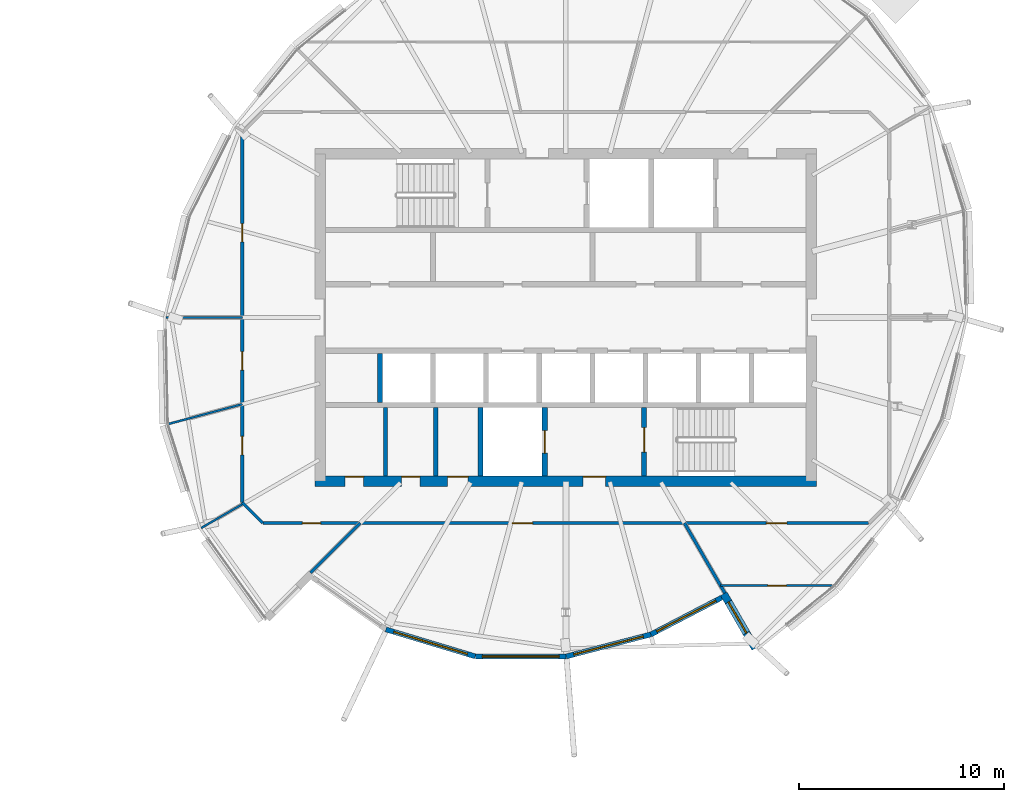
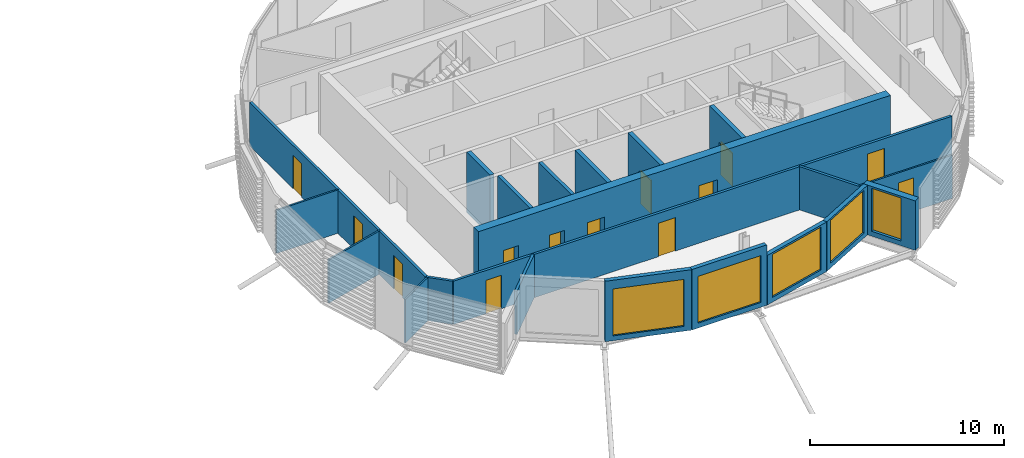
# One storey, part 19 of 35: 21 walls, 13 doors, 5 windows, 18 openings.
"""IFC4 building model written with IfcOpenShell, lengths in metres."""

from ifc_helpers import new_model, si_unit, direction, frame, frame_2d, origin, place, context, subcontext, project, spatial, rectangle, extrude, material, layer, layer_set, type_object, element, fill, save


model = new_model("IFC4")

# Units and contexts
model_context = context("Model", 3, precision=1e-05, world=origin(), true_north=direction((0.0, 1.0)))
body_context = subcontext(model_context, "Body", "Model", "MODEL_VIEW")
ifc_project = project(units=[si_unit("LENGTHUNIT", "METRE"), si_unit("AREAUNIT", "SQUARE_METRE"), si_unit("VOLUMEUNIT", "CUBIC_METRE"), si_unit("PLANEANGLEUNIT", "RADIAN"), si_unit("MASSUNIT", "GRAM", prefix="KILO")], contexts=[model_context])

# Site, building, storey
site_placement = place(None, origin())
site = spatial("IfcSite", under=ifc_project, at=site_placement, CompositionType="ELEMENT")
building_placement = place(site_placement, origin())
building = spatial("IfcBuilding", under=site, at=building_placement, Name="Rimbun Link Towers", CompositionType="ELEMENT")
storey_placement = place(building_placement, frame((0.0, 0.0, 225.699951171875)))
storey = spatial("IfcBuildingStorey", under=building, at=storey_placement, Name="L55", CompositionType="ELEMENT", Elevation=225.699951171875)

# Wall, opening, window
ifc_material_1 = material(Name="Dark enamelled glass spandrel on insulated aluminium backpan", Category="aluminium")
ifc_layer_1 = layer(ifc_material_1, 0.25)
ifc_layer_set_1 = layer_set([ifc_layer_1], Name="CS dark enamelled spandrel wall 250")
wall_type_1 = type_object("IfcWallType", Name="CS dark enamelled spandrel wall 250", PredefinedType="STANDARD", material=ifc_layer_set_1)
wall_1_placement = place(storey_placement, frame((27.328125, -16.558349609375, 0.0), z_axis=(0.0, 0.0, 1.0), x_axis=(-0.957446917434, 0.28860942517, 0.0)))
wall_1 = element("IfcWall", 1, at=wall_1_placement, inside=storey, type_object=wall_type_1, Name="Crease spandrel wall", PredefinedType="STANDARD", context=body_context, shape_type="SweptSolid", body=[
    extrude(rectangle(XDim=4.56201171875, YDim=0.25, at=frame_2d((2.281005859375, 0.0))), origin(), (0.0, 0.0, 1.0), 3.800048828125),
])
opening_1_placement = place(wall_1_placement, frame((0.406005859375, 0.0, 0.300048828125)))
opening_1 = element("IfcOpeningElement", 2, at=opening_1_placement, cuts=wall_1, Name="Opening WR38H295", PredefinedType="OPENING", context=body_context, shape_type="SweptSolid", body=[
    extrude(rectangle(XDim=3.75, YDim=2.949951171875, at=frame_2d((1.875, 1.47509765625))), frame((0.0, 0.135009765625, 0.0), z_axis=(0.0, -1.0, 0.0), x_axis=(1.0, 0.0, 0.0)), (0.0, 0.0, 1.0), 0.27001953125),
])
ifc_material_2 = material(Name="Aluminium framed fixed window, dark tinted low-e glass", Category="aluminium")
window_type_1 = type_object("IfcWindowType", Name="WR ribbon window 3750X2950", PartitioningType="SINGLE_PANEL", PredefinedType="WINDOW", material=ifc_material_2)
window_1_placement = place(opening_1_placement, origin())
window_1 = element("IfcWindow", 3, at=window_1_placement, inside=storey, type_object=window_type_1, Name="Crease ribbon window", OverallHeight=2.949951171875, OverallWidth=3.75, PartitioningType="SINGLE_PANEL", PredefinedType="WINDOW", context=body_context, shape_type="SweptSolid", body=[
    extrude(rectangle(XDim=3.75, YDim=2.949951171875, at=frame_2d((1.875, 1.47509765625))), frame((0.0, 0.030029296875, 0.0), z_axis=(0.0, -1.0, 0.0), x_axis=(1.0, 0.0, 0.0)), (0.0, 0.0, 1.0), 0.06005859375),
])
fill(opening_1, window_1)

wall_2_placement = place(storey_placement, frame((31.765869140625, -16.562255859375, 0.0), z_axis=(0.0, 0.0, 1.0), x_axis=(-0.999999612595, 0.000880232921, 0.0)))
wall_2 = element("IfcWall", 4, at=wall_2_placement, inside=storey, type_object=wall_type_1, Name="Crease spandrel wall", PredefinedType="STANDARD", context=body_context, shape_type="SweptSolid", body=[
    extrude(rectangle(XDim=4.437744140625, YDim=0.25, at=frame_2d((2.21875, 0.0))), origin(), (0.0, 0.0, 1.0), 3.800048828125),
])
opening_2_placement = place(wall_2_placement, frame((0.34375, 0.0, 0.300048828125)))
opening_2 = element("IfcOpeningElement", 5, at=opening_2_placement, cuts=wall_2, Name="Opening WR38H295", PredefinedType="OPENING", context=body_context, shape_type="SweptSolid", body=[
    extrude(rectangle(XDim=3.75, YDim=2.949951171875, at=frame_2d((1.875, 1.47509765625))), frame((0.0, 0.135009765625, 0.0), z_axis=(0.0, -1.0, 0.0), x_axis=(1.0, 0.0, 0.0)), (0.0, 0.0, 1.0), 0.27001953125),
])
window_2_placement = place(opening_2_placement, origin())
window_2 = element("IfcWindow", 6, at=window_2_placement, inside=storey, type_object=window_type_1, Name="Crease ribbon window", OverallHeight=2.949951171875, OverallWidth=3.75, PartitioningType="SINGLE_PANEL", PredefinedType="WINDOW", context=body_context, shape_type="SweptSolid", body=[
    extrude(rectangle(XDim=3.75, YDim=2.949951171875, at=frame_2d((1.875, 1.47509765625))), frame((0.0, 0.030029296875, 0.0), z_axis=(0.0, -1.0, 0.0), x_axis=(1.0, 0.0, 0.0)), (0.0, 0.0, 1.0), 0.06005859375),
])
fill(opening_2, window_2)

wall_3_placement = place(storey_placement, frame((35.91259765625, -15.483642578125, 0.0), z_axis=(0.0, 0.0, 1.0), x_axis=(-0.967796135933, -0.251735256317, 0.0)))
wall_3 = element("IfcWall", 7, at=wall_3_placement, inside=storey, type_object=wall_type_1, Name="Crease spandrel wall", PredefinedType="STANDARD", context=body_context, shape_type="SweptSolid", body=[
    extrude(rectangle(XDim=4.28466796875, YDim=0.25, at=frame_2d((2.142333984375, 0.0))), origin(), (0.0, 0.0, 1.0), 3.116943359375),
])
opening_3_placement = place(wall_3_placement, frame((0.392333984375, 0.0, 0.300048828125)))
opening_3 = element("IfcOpeningElement", 8, at=opening_3_placement, cuts=wall_3, Name="Opening WR35H270", PredefinedType="OPENING", context=body_context, shape_type="SweptSolid", body=[
    extrude(rectangle(XDim=3.5, YDim=2.699951171875, at=frame_2d((1.75, 1.35009765625))), frame((0.0, 0.135009765625, 0.0), z_axis=(0.0, -1.0, 0.0), x_axis=(1.0, 0.0, 0.0)), (0.0, 0.0, 1.0), 0.27001953125),
])
ifc_material_3 = material(Name="Aluminium framed fixed window, dark tinted low-e glass", Category="aluminium")
window_type_2 = type_object("IfcWindowType", Name="WR ribbon window 3500X2700", PartitioningType="SINGLE_PANEL", PredefinedType="WINDOW", material=ifc_material_3)
window_3_placement = place(opening_3_placement, origin())
window_3 = element("IfcWindow", 9, at=window_3_placement, inside=storey, type_object=window_type_2, Name="Crease ribbon window", OverallHeight=2.699951171875, OverallWidth=3.5, PartitioningType="SINGLE_PANEL", PredefinedType="WINDOW", context=body_context, shape_type="SweptSolid", body=[
    extrude(rectangle(XDim=3.5, YDim=2.699951171875, at=frame_2d((1.75, 1.35009765625))), frame((0.0, 0.030029296875, 0.0), z_axis=(0.0, -1.0, 0.0), x_axis=(1.0, 0.0, 0.0)), (0.0, 0.0, 1.0), 0.06005859375),
])
fill(opening_3, window_3)

wall_4_placement = place(storey_placement, frame((39.3642578125, -13.688232421875, 0.0), z_axis=(0.0, 0.0, 1.0), x_axis=(-0.887159260346, -0.461463375342, 0.0)))
wall_4 = element("IfcWall", 10, at=wall_4_placement, inside=storey, type_object=wall_type_1, Name="Crease spandrel wall", PredefinedType="STANDARD", context=body_context, shape_type="SweptSolid", body=[
    extrude(rectangle(XDim=3.890625, YDim=0.25, at=frame_2d((1.9453125, 0.0))), origin(), (0.0, 0.0, 1.0), 3.116943359375),
])
opening_4_placement = place(wall_4_placement, frame((0.3203125, 0.0, 0.300048828125)))
opening_4 = element("IfcOpeningElement", 11, at=opening_4_placement, cuts=wall_4, Name="Opening WR32H270", PredefinedType="OPENING", context=body_context, shape_type="SweptSolid", body=[
    extrude(rectangle(XDim=3.25, YDim=2.699951171875, at=frame_2d((1.625, 1.35009765625))), frame((0.0, 0.135009765625, 0.0), z_axis=(0.0, -1.0, 0.0), x_axis=(1.0, 0.0, 0.0)), (0.0, 0.0, 1.0), 0.27001953125),
])
ifc_material_4 = material(Name="Aluminium framed fixed window, dark tinted low-e glass", Category="aluminium")
window_type_3 = type_object("IfcWindowType", Name="WR ribbon window 3250X2700", PartitioningType="SINGLE_PANEL", PredefinedType="WINDOW", material=ifc_material_4)
window_4_placement = place(opening_4_placement, origin())
window_4 = element("IfcWindow", 12, at=window_4_placement, inside=storey, type_object=window_type_3, Name="Crease ribbon window", OverallHeight=2.699951171875, OverallWidth=3.25, PartitioningType="SINGLE_PANEL", PredefinedType="WINDOW", context=body_context, shape_type="SweptSolid", body=[
    extrude(rectangle(XDim=3.25, YDim=2.699951171875, at=frame_2d((1.625, 1.35009765625))), frame((0.0, 0.030029296875, 0.0), z_axis=(0.0, -1.0, 0.0), x_axis=(1.0, 0.0, 0.0)), (0.0, 0.0, 1.0), 0.06005859375),
])
fill(opening_4, window_4)

ifc_material_5 = material(Name="Dark enamelled glass spandrel on insulated aluminium backpan", Category="aluminium")
ifc_layer_2 = layer(ifc_material_5, 0.3701171875)
ifc_layer_set_2 = layer_set([ifc_layer_2], Name="CS dark enamelled spandrel wall 370")
wall_type_2 = type_object("IfcWallType", Name="CS dark enamelled spandrel wall 370", PredefinedType="STANDARD", material=ifc_layer_set_2)
wall_5_placement = place(storey_placement, frame((41.00732421875, -16.164306640625, 0.0), z_axis=(0.0, 0.0, 1.0), x_axis=(-0.499932877268, 0.866064153644, 0.0)))
wall_5 = element("IfcWall", 13, at=wall_5_placement, inside=storey, type_object=wall_type_2, Name="Crease spandrel wall", PredefinedType="STANDARD", context=body_context, shape_type="SweptSolid", body=[
    extrude(rectangle(XDim=3.080078125, YDim=0.3701171875, at=frame_2d((1.5400390625, 0.0))), origin(), (0.0, 0.0, 1.0), 3.116943359375),
])
opening_5_placement = place(wall_5_placement, frame((0.865478515625, 0.0, 0.300048828125)))
opening_5 = element("IfcOpeningElement", 14, at=opening_5_placement, cuts=wall_5, Name="Opening WR18H270", PredefinedType="OPENING", context=body_context, shape_type="SweptSolid", body=[
    extrude(rectangle(XDim=1.75, YDim=2.699951171875, at=frame_2d((0.875, 1.35009765625))), frame((0.0, 0.195068359375, 0.0), z_axis=(0.0, -1.0, 0.0), x_axis=(1.0, 0.0, 0.0)), (0.0, 0.0, 1.0), 0.39013671875),
])
ifc_material_6 = material(Name="Aluminium framed fixed window, dark tinted low-e glass", Category="aluminium")
window_type_4 = type_object("IfcWindowType", Name="WR ribbon window 1750X2700", PartitioningType="SINGLE_PANEL", PredefinedType="WINDOW", material=ifc_material_6)
window_5_placement = place(opening_5_placement, origin())
window_5 = element("IfcWindow", 15, at=window_5_placement, inside=storey, type_object=window_type_4, Name="Crease ribbon window", OverallHeight=2.699951171875, OverallWidth=1.75, PartitioningType="SINGLE_PANEL", PredefinedType="WINDOW", context=body_context, shape_type="SweptSolid", body=[
    extrude(rectangle(XDim=1.75, YDim=2.699951171875, at=frame_2d((0.875, 1.35009765625))), frame((0.0, 0.030029296875, 0.0), z_axis=(0.0, -1.0, 0.0), x_axis=(1.0, 0.0, 0.0)), (0.0, 0.0, 1.0), 0.06005859375),
])
fill(opening_5, window_5)

# Walls
ifc_material_7 = material(Name="Masonry blockwork", Category="masonry")
ifc_layer_3 = layer(ifc_material_7, 0.199951171875)
ifc_layer_set_3 = layer_set([ifc_layer_3], Name="Core partition 200")
wall_type_3 = type_object("IfcWallType", Name="Core partition 200", PredefinedType="PARTITIONING", material=ifc_layer_set_3)
for number, where, z_axis, x_axis, name in (
    (16, (22.949951171875, -4.39990234375, 0.0), (0.0, 0.0, 1.0), (0.0, -1.0, 0.0), "L55 T2 core wall C1"),
    (17, (25.39990234375, -4.39990234375, 0.0), (0.0, 0.0, 1.0), (0.0, -1.0, 0.0), "L55 T2 core wall C2"),
):
    element("IfcWall", number, at=place(storey_placement, frame(where, z_axis=z_axis, x_axis=x_axis)), inside=storey, type_object=wall_type_3, Name=name, PredefinedType="PARTITIONING", context=body_context, shape_type="SweptSolid", body=[
        extrude(rectangle(XDim=3.35009765625, YDim=0.199951171875, at=frame_2d((1.675048828125, 0.0))), origin(), (0.0, 0.0, 1.0), 3.800048828125),
    ])

# Wall, openings, doors
ifc_material_8 = material(Name="Concrete C60/75", Category="concrete")
ifc_layer_4 = layer(ifc_material_8, 0.5)
ifc_layer_set_4 = layer_set([ifc_layer_4], Name="Core shear wall 500")
wall_type_4 = type_object("IfcWallType", Name="Core shear wall 500", PredefinedType="SHEAR", material=ifc_layer_set_4)
wall_6_placement = place(storey_placement, frame((19.5, -8.0, 0.0), z_axis=(0.0, 0.0, 1.0), x_axis=(1.0, 0.0, 0.0)))
wall_6 = element("IfcWall", 18, at=wall_6_placement, inside=storey, type_object=wall_type_4, Name="L55 T2 core wall S", PredefinedType="SHEAR", context=body_context, shape_type="SweptSolid", body=[
    extrude(rectangle(XDim=24.5, YDim=0.5, at=frame_2d((12.25, 0.0))), origin(), (0.0, 0.0, 1.0), 3.800048828125),
])
opening_6_placement = place(wall_6_placement, frame((13.10009765625, 0.0, 0.0)))
opening_6 = element("IfcOpeningElement", 19, at=opening_6_placement, cuts=wall_6, Name="Opening C2DCF01S", PredefinedType="OPENING", context=body_context, shape_type="SweptSolid", body=[
    extrude(rectangle(XDim=1.10009765625, YDim=2.10009765625, at=frame_2d((0.550048828125, 1.050048828125))), frame((0.0, 0.260009765625, 0.0), z_axis=(0.0, -1.0, 0.0), x_axis=(1.0, 0.0, 0.0)), (0.0, 0.0, 1.0), 0.52001953125),
])
opening_7_placement = place(wall_6_placement, frame((1.47509765625, 0.0, 0.0)))
opening_7 = element("IfcOpeningElement", 20, at=opening_7_placement, cuts=wall_6, Name="Opening C2DWC02S", PredefinedType="OPENING", context=body_context, shape_type="SweptSolid", body=[
    extrude(rectangle(XDim=0.89990234375, YDim=2.10009765625, at=frame_2d((0.449951171875, 1.050048828125))), frame((0.0, 0.260009765625, 0.0), z_axis=(0.0, -1.0, 0.0), x_axis=(1.0, 0.0, 0.0)), (0.0, 0.0, 1.0), 0.52001953125),
])
opening_8_placement = place(wall_6_placement, frame((4.22509765625, 0.0, 0.0)))
opening_8 = element("IfcOpeningElement", 21, at=opening_8_placement, cuts=wall_6, Name="Opening C2DWC03S", PredefinedType="OPENING", context=body_context, shape_type="SweptSolid", body=[
    extrude(rectangle(XDim=0.89990234375, YDim=2.10009765625, at=frame_2d((0.449951171875, 1.050048828125))), frame((0.0, 0.260009765625, 0.0), z_axis=(0.0, -1.0, 0.0), x_axis=(1.0, 0.0, 0.0)), (0.0, 0.0, 1.0), 0.52001953125),
])
opening_9_placement = place(wall_6_placement, frame((6.47509765625, 0.0, 0.0)))
opening_9 = element("IfcOpeningElement", 22, at=opening_9_placement, cuts=wall_6, Name="Opening C2DAW04S", PredefinedType="OPENING", context=body_context, shape_type="SweptSolid", body=[
    extrude(rectangle(XDim=1.0, YDim=2.10009765625, at=frame_2d((0.5, 1.050048828125))), frame((0.0, 0.260009765625, 0.0), z_axis=(0.0, -1.0, 0.0), x_axis=(1.0, 0.0, 0.0)), (0.0, 0.0, 1.0), 0.52001953125),
])
ifc_material_9 = material(Name="Timber", Category="wood")
door_type_1 = type_object("IfcDoorType", Name="Accessible WC door", OperationType="SINGLE_SWING_LEFT", PredefinedType="DOOR", material=ifc_material_9)
door_1_placement = place(opening_9_placement, origin())
door_1 = element("IfcDoor", 23, at=door_1_placement, inside=storey, type_object=door_type_1, Name="L55 T2 accessible wc door", OperationType="SINGLE_SWING_LEFT", OverallHeight=2.10009765625, OverallWidth=1.0, PredefinedType="DOOR", context=body_context, shape_type="SweptSolid", body=[
    extrude(rectangle(XDim=1.0, YDim=2.10009765625, at=frame_2d((0.5, 1.050048828125))), frame((0.0, 0.25, 0.0), z_axis=(0.0, -1.0, 0.0), x_axis=(1.0, 0.0, 0.0)), (0.0, 0.0, 1.0), 0.050048828125),
])
fill(opening_9, door_1)
ifc_material_10 = material(Name="Steel fire door set", Category="steel")
door_type_2 = type_object("IfcDoorType", Name="Core fire door single", OperationType="SINGLE_SWING_LEFT", PredefinedType="DOOR", material=ifc_material_10)
door_2_placement = place(opening_6_placement, origin())
door_2 = element("IfcDoor", 24, at=door_2_placement, inside=storey, type_object=door_type_2, Name="L55 T2 firefighting lobby s door", OperationType="SINGLE_SWING_RIGHT", OverallHeight=2.10009765625, OverallWidth=1.10009765625, PredefinedType="DOOR", context=body_context, shape_type="SweptSolid", body=[
    extrude(rectangle(XDim=1.10009765625, YDim=2.10009765625, at=frame_2d((0.550048828125, 1.050048828125))), frame((0.0, 0.25, 0.0), z_axis=(0.0, -1.0, 0.0), x_axis=(1.0, 0.0, 0.0)), (0.0, 0.0, 1.0), 0.050048828125),
])
fill(opening_6, door_2)
ifc_material_11 = material(Name="Timber", Category="wood")
door_type_3 = type_object("IfcDoorType", Name="WC door", OperationType="SINGLE_SWING_LEFT", PredefinedType="DOOR", material=ifc_material_11)
door_3_placement = place(opening_7_placement, origin())
door_3 = element("IfcDoor", 25, at=door_3_placement, inside=storey, type_object=door_type_3, Name="L55 T2 male wc door", OperationType="SINGLE_SWING_RIGHT", OverallHeight=2.10009765625, OverallWidth=0.89990234375, PredefinedType="DOOR", context=body_context, shape_type="SweptSolid", body=[
    extrude(rectangle(XDim=0.89990234375, YDim=2.10009765625, at=frame_2d((0.449951171875, 1.050048828125))), frame((0.0, 0.25, 0.0), z_axis=(0.0, -1.0, 0.0), x_axis=(1.0, 0.0, 0.0)), (0.0, 0.0, 1.0), 0.050048828125),
])
fill(opening_7, door_3)
door_4_placement = place(opening_8_placement, origin())
door_4 = element("IfcDoor", 26, at=door_4_placement, inside=storey, type_object=door_type_3, Name="L55 T2 female wc door", OperationType="SINGLE_SWING_RIGHT", OverallHeight=2.10009765625, OverallWidth=0.89990234375, PredefinedType="DOOR", context=body_context, shape_type="SweptSolid", body=[
    extrude(rectangle(XDim=0.89990234375, YDim=2.10009765625, at=frame_2d((0.449951171875, 1.050048828125))), frame((0.0, 0.25, 0.0), z_axis=(0.0, -1.0, 0.0), x_axis=(1.0, 0.0, 0.0)), (0.0, 0.0, 1.0), 0.050048828125),
])
fill(opening_8, door_4)

ifc_material_12 = material(Name="Plasterboard on steel stud, mineral wool", Category="steel")
ifc_layer_5 = layer(ifc_material_12, 0.14990234375)
ifc_layer_set_5 = layer_set([ifc_layer_5], Name="Corridor wall EI 30 150 mm")
wall_type_5 = type_object("IfcWallType", Name="Corridor wall EI 30 150 mm", PredefinedType="PARTITIONING", material=ifc_layer_set_5)
wall_7_placement = place(storey_placement, frame((46.5537109375, -10.044921875, 0.0), z_axis=(0.0, 0.0, 1.0), x_axis=(-1.0, 0.0, 0.0)))
wall_7 = element("IfcWall", 27, at=wall_7_placement, inside=storey, type_object=wall_type_5, Name="Corridor wall EI 30 150 mm", PredefinedType="PARTITIONING", context=body_context, shape_type="SweptSolid", body=[
    extrude(rectangle(XDim=29.607421875, YDim=0.14990234375, at=frame_2d((14.8037109375, 0.0))), origin(), (0.0, 0.0, 1.0), 2.72216796875),
])
opening_10_placement = place(wall_7_placement, frame((4.002197265625, 0.0, 0.0)))
opening_10 = element("IfcOpeningElement", 28, at=opening_10_placement, cuts=wall_7, Name="Opening D01", PredefinedType="OPENING", context=body_context, shape_type="SweptSolid", body=[
    extrude(rectangle(XDim=1.0, YDim=2.10009765625, at=frame_2d((0.5, 1.050048828125))), frame((0.0, 0.0849609375, 0.0), z_axis=(0.0, -1.0, 0.0), x_axis=(1.0, 0.0, 0.0)), (0.0, 0.0, 1.0), 0.169921875),
])
opening_11_placement = place(wall_7_placement, frame((26.778076171875, 0.0, 0.0)))
opening_11 = element("IfcOpeningElement", 29, at=opening_11_placement, cuts=wall_7, Name="Opening D02", PredefinedType="OPENING", context=body_context, shape_type="SweptSolid", body=[
    extrude(rectangle(XDim=0.89990234375, YDim=2.10009765625, at=frame_2d((0.449951171875, 1.050048828125))), frame((0.0, 0.0849609375, 0.0), z_axis=(0.0, -1.0, 0.0), x_axis=(1.0, 0.0, 0.0)), (0.0, 0.0, 1.0), 0.169921875),
])
opening_12_placement = place(wall_7_placement, frame((16.426513671875, 0.0, 0.0)))
opening_12 = element("IfcOpeningElement", 30, at=opening_12_placement, cuts=wall_7, Name="Opening D01", PredefinedType="OPENING", context=body_context, shape_type="SweptSolid", body=[
    extrude(rectangle(XDim=1.0, YDim=2.10009765625, at=frame_2d((0.5, 1.050048828125))), frame((0.0, 0.0849609375, 0.0), z_axis=(0.0, -1.0, 0.0), x_axis=(1.0, 0.0, 0.0)), (0.0, 0.0, 1.0), 0.169921875),
])
ifc_material_13 = material(Name="Fire-resisting timber door leaf", Category="wood")
door_type_4 = type_object("IfcDoorType", Name="Fire door FD30S 1000", OperationType="NOTDEFINED", PredefinedType="DOOR", material=ifc_material_13)
door_5_placement = place(opening_10_placement, origin())
door_5 = element("IfcDoor", 31, at=door_5_placement, inside=storey, type_object=door_type_4, Name="Fire door FD30S 1000 to Reception", OperationType="SINGLE_SWING_LEFT", OverallHeight=2.10009765625, OverallWidth=1.0, PredefinedType="DOOR", context=body_context, shape_type="SweptSolid", body=[
    extrude(rectangle(XDim=1.0, YDim=2.10009765625, at=frame_2d((0.5, 1.050048828125))), frame((0.0, 0.02490234375, 0.0), z_axis=(0.0, -1.0, 0.0), x_axis=(1.0, 0.0, 0.0)), (0.0, 0.0, 1.0), 0.050048828125),
])
fill(opening_10, door_5)
door_6_placement = place(opening_12_placement, origin())
door_6 = element("IfcDoor", 32, at=door_6_placement, inside=storey, type_object=door_type_4, Name="Fire door FD30S 1000 to Terrace office", OperationType="SINGLE_SWING_LEFT", OverallHeight=2.10009765625, OverallWidth=1.0, PredefinedType="DOOR", context=body_context, shape_type="SweptSolid", body=[
    extrude(rectangle(XDim=1.0, YDim=2.10009765625, at=frame_2d((0.5, 1.050048828125))), frame((0.0, 0.02490234375, 0.0), z_axis=(0.0, -1.0, 0.0), x_axis=(1.0, 0.0, 0.0)), (0.0, 0.0, 1.0), 0.050048828125),
])
fill(opening_12, door_6)
ifc_material_14 = material(Name="Fire-resisting timber door leaf", Category="wood")
door_type_5 = type_object("IfcDoorType", Name="Fire door FD30S 900", OperationType="NOTDEFINED", PredefinedType="DOOR", material=ifc_material_14)
door_7_placement = place(opening_11_placement, origin())
door_7 = element("IfcDoor", 33, at=door_7_placement, inside=storey, type_object=door_type_5, Name="Fire door FD30S 900 to Meeting room", OperationType="SINGLE_SWING_RIGHT", OverallHeight=2.10009765625, OverallWidth=0.89990234375, PredefinedType="DOOR", context=body_context, shape_type="SweptSolid", body=[
    extrude(rectangle(XDim=0.89990234375, YDim=2.10009765625, at=frame_2d((0.449951171875, 1.050048828125))), frame((0.0, 0.02490234375, 0.0), z_axis=(0.0, -1.0, 0.0), x_axis=(1.0, 0.0, 0.0)), (0.0, 0.0, 1.0), 0.050048828125),
])
fill(opening_11, door_7)

# Wall
wall_8_placement = place(storey_placement, frame((15.945068359375, -9.043701171875, 0.0), z_axis=(0.0, 0.0, 1.0), x_axis=(0.707106781187, -0.707106781187, 0.0)))
element("IfcWall", 34, at=wall_8_placement, inside=storey, type_object=wall_type_5, Name="Corridor wall EI 30 150 mm", PredefinedType="PARTITIONING", context=body_context, shape_type="SweptSolid", body=[
    extrude(rectangle(XDim=1.416015625, YDim=0.14990234375, at=frame_2d((0.7080078125, 0.0))), origin(), (0.0, 0.0, 1.0), 2.72216796875),
])

# Wall, openings, doors
wall_9_placement = place(storey_placement, frame((15.945068359375, -9.043701171875, 0.0), z_axis=(0.0, 0.0, 1.0), x_axis=(0.0, 1.0, 0.0)))
wall_9 = element("IfcWall", 35, at=wall_9_placement, inside=storey, type_object=wall_type_5, Name="Corridor wall EI 30 150 mm", PredefinedType="PARTITIONING", context=body_context, shape_type="SweptSolid", body=[
    extrude(rectangle(XDim=18.08740234375, YDim=0.14990234375, at=frame_2d((9.043701171875, 0.0))), origin(), (0.0, 0.0, 1.0), 2.72216796875),
])
opening_13_placement = place(wall_9_placement, frame((12.733642578125, 0.0, 0.0)))
opening_13 = element("IfcOpeningElement", 36, at=opening_13_placement, cuts=wall_9, Name="Opening D02", PredefinedType="OPENING", context=body_context, shape_type="SweptSolid", body=[
    extrude(rectangle(XDim=0.89990234375, YDim=2.10009765625, at=frame_2d((0.449951171875, 1.050048828125))), frame((0.0, 0.0849609375, 0.0), z_axis=(0.0, -1.0, 0.0), x_axis=(1.0, 0.0, 0.0)), (0.0, 0.0, 1.0), 0.169921875),
])
opening_14_placement = place(wall_9_placement, frame((6.476318359375, 0.0, 0.0)))
opening_14 = element("IfcOpeningElement", 37, at=opening_14_placement, cuts=wall_9, Name="Opening D02", PredefinedType="OPENING", context=body_context, shape_type="SweptSolid", body=[
    extrude(rectangle(XDim=0.89990234375, YDim=2.10009765625, at=frame_2d((0.449951171875, 1.050048828125))), frame((0.0, 0.0849609375, 0.0), z_axis=(0.0, -1.0, 0.0), x_axis=(1.0, 0.0, 0.0)), (0.0, 0.0, 1.0), 0.169921875),
])
opening_15_placement = place(wall_9_placement, frame((2.336181640625, 0.0, 0.0)))
opening_15 = element("IfcOpeningElement", 38, at=opening_15_placement, cuts=wall_9, Name="Opening D02", PredefinedType="OPENING", context=body_context, shape_type="SweptSolid", body=[
    extrude(rectangle(XDim=0.89990234375, YDim=2.10009765625, at=frame_2d((0.449951171875, 1.050048828125))), frame((0.0, 0.0849609375, 0.0), z_axis=(0.0, -1.0, 0.0), x_axis=(1.0, 0.0, 0.0)), (0.0, 0.0, 1.0), 0.169921875),
])
door_8_placement = place(opening_13_placement, origin())
door_8 = element("IfcDoor", 39, at=door_8_placement, inside=storey, type_object=door_type_5, Name="Fire door FD30S 900 to Executive office", OperationType="SINGLE_SWING_LEFT", OverallHeight=2.10009765625, OverallWidth=0.89990234375, PredefinedType="DOOR", context=body_context, shape_type="SweptSolid", body=[
    extrude(rectangle(XDim=0.89990234375, YDim=2.10009765625, at=frame_2d((0.449951171875, 1.050048828125))), frame((0.0, 0.02490234375, 0.0), z_axis=(0.0, -1.0, 0.0), x_axis=(1.0, 0.0, 0.0)), (0.0, 0.0, 1.0), 0.050048828125),
])
fill(opening_13, door_8)
door_9_placement = place(opening_14_placement, origin())
door_9 = element("IfcDoor", 40, at=door_9_placement, inside=storey, type_object=door_type_5, Name="Fire door FD30S 900 to Open office", OperationType="SINGLE_SWING_RIGHT", OverallHeight=2.10009765625, OverallWidth=0.89990234375, PredefinedType="DOOR", context=body_context, shape_type="SweptSolid", body=[
    extrude(rectangle(XDim=0.89990234375, YDim=2.10009765625, at=frame_2d((0.449951171875, 1.050048828125))), frame((0.0, 0.02490234375, 0.0), z_axis=(0.0, -1.0, 0.0), x_axis=(1.0, 0.0, 0.0)), (0.0, 0.0, 1.0), 0.050048828125),
])
fill(opening_14, door_9)
door_10_placement = place(opening_15_placement, origin())
door_10 = element("IfcDoor", 41, at=door_10_placement, inside=storey, type_object=door_type_5, Name="Fire door FD30S 900 to Boardroom", OperationType="SINGLE_SWING_LEFT", OverallHeight=2.10009765625, OverallWidth=0.89990234375, PredefinedType="DOOR", context=body_context, shape_type="SweptSolid", body=[
    extrude(rectangle(XDim=0.89990234375, YDim=2.10009765625, at=frame_2d((0.449951171875, 1.050048828125))), frame((0.0, 0.02490234375, 0.0), z_axis=(0.0, -1.0, 0.0), x_axis=(1.0, 0.0, 0.0)), (0.0, 0.0, 1.0), 0.050048828125),
])
fill(opening_15, door_10)

# Wall, opening, door
ifc_material_15 = material(Name="Plasterboard on steel stud", Category="steel")
ifc_layer_6 = layer(ifc_material_15, 0.10009765625)
ifc_layer_set_6 = layer_set([ifc_layer_6], Name="Plasterboard partition 100 mm")
wall_type_6 = type_object("IfcWallType", Name="Plasterboard partition 100 mm", PredefinedType="PARTITIONING", material=ifc_layer_set_6)
wall_10_placement = place(storey_placement, frame((44.83447265625, -13.10498046875, 0.0), z_axis=(0.0, 0.0, 1.0), x_axis=(-1.0, 0.0, 0.0)))
wall_10 = element("IfcWall", 42, at=wall_10_placement, inside=storey, type_object=wall_type_6, Name="Plasterboard partition 100 mm", PredefinedType="PARTITIONING", context=body_context, shape_type="SweptSolid", body=[
    extrude(rectangle(XDim=5.518310546875, YDim=0.10009765625, at=frame_2d((2.75927734375, 0.0))), origin(), (0.0, 0.0, 1.0), 2.72216796875),
])
opening_16_placement = place(wall_10_placement, frame((2.30908203125, 0.0, 0.0)))
opening_16 = element("IfcOpeningElement", 43, at=opening_16_placement, cuts=wall_10, Name="Opening D04", PredefinedType="OPENING", context=body_context, shape_type="SweptSolid", body=[
    extrude(rectangle(XDim=0.89990234375, YDim=2.10009765625, at=frame_2d((0.449951171875, 1.050048828125))), frame((0.0, 0.06005859375, 0.0), z_axis=(0.0, -1.0, 0.0), x_axis=(1.0, 0.0, 0.0)), (0.0, 0.0, 1.0), 0.1201171875),
])
ifc_material_16 = material(Name="Timber door leaf", Category="wood")
door_type_6 = type_object("IfcDoorType", Name="Flush door 900", OperationType="NOTDEFINED", PredefinedType="DOOR", material=ifc_material_16)
door_11_placement = place(opening_16_placement, origin())
door_11 = element("IfcDoor", 44, at=door_11_placement, inside=storey, type_object=door_type_6, Name="Flush door 900 to Executive office", OperationType="SINGLE_SWING_RIGHT", OverallHeight=2.10009765625, OverallWidth=0.89990234375, PredefinedType="DOOR", context=body_context, shape_type="SweptSolid", body=[
    extrude(rectangle(XDim=0.89990234375, YDim=2.10009765625, at=frame_2d((0.449951171875, 1.050048828125))), frame((0.0, 0.02490234375, 0.0), z_axis=(0.0, -1.0, 0.0), x_axis=(1.0, 0.0, 0.0)), (0.0, 0.0, 1.0), 0.050048828125),
])
fill(opening_16, door_11)

# Walls
wall_11_placement = place(storey_placement, frame((12.212646484375, 0.0, 0.0), z_axis=(0.0, 0.0, 1.0), x_axis=(1.0, 0.0, 0.0)))
element("IfcWall", 45, at=wall_11_placement, inside=storey, type_object=wall_type_6, Name="Plasterboard partition 100 mm", PredefinedType="PARTITIONING", context=body_context, shape_type="SweptSolid", body=[
    extrude(rectangle(XDim=3.732421875, YDim=0.10009765625, at=frame_2d((1.8662109375, 0.0))), origin(), (0.0, 0.0, 1.0), 2.72216796875),
])
wall_12_placement = place(storey_placement, frame((12.322509765625, -5.20556640625, 0.0), z_axis=(0.0, 0.0, 1.0), x_axis=(0.965923061481, 0.258829363287, 0.0)))
element("IfcWall", 46, at=wall_12_placement, inside=storey, type_object=wall_type_6, Name="Plasterboard partition 100 mm", PredefinedType="PARTITIONING", context=body_context, shape_type="SweptSolid", body=[
    extrude(rectangle(XDim=3.750244140625, YDim=0.10009765625, at=frame_2d((1.875, 0.0))), origin(), (0.0, 0.0, 1.0), 2.72216796875),
])
wall_13_placement = place(storey_placement, frame((13.9375, -10.2841796875, 0.0), z_axis=(0.0, 0.0, 1.0), x_axis=(0.865997488215, 0.500048348068, 0.0)))
element("IfcWall", 47, at=wall_13_placement, inside=storey, type_object=wall_type_6, Name="Plasterboard partition 100 mm", PredefinedType="PARTITIONING", context=body_context, shape_type="SweptSolid", body=[
    extrude(rectangle(XDim=2.377685546875, YDim=0.10009765625, at=frame_2d((1.18896484375, 0.0))), origin(), (0.0, 0.0, 1.0), 2.72216796875),
])
ifc_material_17 = material(Name="Concrete C60/75", Category="concrete")
ifc_layer_7 = layer(ifc_material_17, 0.25)
ifc_layer_set_7 = layer_set([ifc_layer_7], Name="Shaft wall 250")
wall_type_7 = type_object("IfcWallType", Name="Shaft wall 250", PredefinedType="SHEAR", material=ifc_layer_set_7)
wall_14_placement = place(storey_placement, frame((22.66943359375, -4.14990234375, 0.0), z_axis=(0.0, 0.0, 1.0), x_axis=(0.0, 1.0, 0.0)))
element("IfcWall", 48, at=wall_14_placement, inside=storey, type_object=wall_type_7, Name="L55 T2 core wall DS0", PredefinedType="SHEAR", context=body_context, shape_type="SweptSolid", body=[
    extrude(rectangle(XDim=2.39990234375, YDim=0.25, at=frame_2d((1.199951171875, 0.0))), origin(), (0.0, 0.0, 1.0), 3.800048828125),
])

# Wall, opening, door
wall_15_placement = place(storey_placement, frame((35.574951171875, -4.39990234375, 0.0), z_axis=(0.0, 0.0, 1.0), x_axis=(0.0, -1.0, 0.0)))
wall_15 = element("IfcWall", 49, at=wall_15_placement, inside=storey, type_object=wall_type_7, Name="L55 T2 core wall B1", PredefinedType="SHEAR", context=body_context, shape_type="SweptSolid", body=[
    extrude(rectangle(XDim=3.35009765625, YDim=0.25, at=frame_2d((1.675048828125, 0.0))), origin(), (0.0, 0.0, 1.0), 3.800048828125),
])
opening_17_placement = place(wall_15_placement, frame((0.97509765625, 0.0, 0.0)))
opening_17 = element("IfcOpeningElement", 50, at=opening_17_placement, cuts=wall_15, Name="Opening C2DST01B1", PredefinedType="OPENING", context=body_context, shape_type="SweptSolid", body=[
    extrude(rectangle(XDim=1.199951171875, YDim=2.10009765625, at=frame_2d((0.60009765625, 1.050048828125))), frame((0.0, 0.135009765625, 0.0), z_axis=(0.0, -1.0, 0.0), x_axis=(1.0, 0.0, 0.0)), (0.0, 0.0, 1.0), 0.27001953125),
])
ifc_material_18 = material(Name="Steel fire door set", Category="steel")
door_type_7 = type_object("IfcDoorType", Name="Stair door", OperationType="SINGLE_SWING_LEFT", PredefinedType="DOOR", material=ifc_material_18)
door_12_placement = place(opening_17_placement, origin())
door_12 = element("IfcDoor", 51, at=door_12_placement, inside=storey, type_object=door_type_7, Name="L55 T2 stair b door", OperationType="SINGLE_SWING_RIGHT", OverallHeight=2.10009765625, OverallWidth=1.199951171875, PredefinedType="DOOR", context=body_context, shape_type="SweptSolid", body=[
    extrude(rectangle(XDim=1.199951171875, YDim=2.10009765625, at=frame_2d((0.60009765625, 1.050048828125))), frame((0.0, 0.02490234375, 0.0), z_axis=(0.0, -1.0, 0.0), x_axis=(1.0, 0.0, 0.0)), (0.0, 0.0, 1.0), 0.050048828125),
])
fill(opening_17, door_12)

wall_16_placement = place(storey_placement, frame((30.72509765625, -4.39990234375, 0.0), z_axis=(0.0, 0.0, 1.0), x_axis=(0.0, -1.0, 0.0)))
wall_16 = element("IfcWall", 52, at=wall_16_placement, inside=storey, type_object=wall_type_7, Name="L55 T2 core wall B2", PredefinedType="SHEAR", context=body_context, shape_type="SweptSolid", body=[
    extrude(rectangle(XDim=3.35009765625, YDim=0.25, at=frame_2d((1.675048828125, 0.0))), origin(), (0.0, 0.0, 1.0), 3.800048828125),
])
opening_18_placement = place(wall_16_placement, frame((1.125, 0.0, 0.0)))
opening_18 = element("IfcOpeningElement", 53, at=opening_18_placement, cuts=wall_16, Name="Opening LD-T2-FF2", PredefinedType="OPENING", context=body_context, shape_type="SweptSolid", body=[
    extrude(rectangle(XDim=1.10009765625, YDim=2.10009765625, at=frame_2d((0.550048828125, 1.050048828125))), frame((0.0, 0.135009765625, 0.0), z_axis=(0.0, -1.0, 0.0), x_axis=(1.0, 0.0, 0.0)), (0.0, 0.0, 1.0), 0.27001953125),
])
ifc_material_19 = material(Name="Stainless steel grade 316", Category="steel")
door_type_8 = type_object("IfcDoorType", Name="Lift landing door", OperationType="DOUBLE_DOOR_SLIDING", PredefinedType="DOOR", material=ifc_material_19)
door_13_placement = place(opening_18_placement, origin())
door_13 = element("IfcDoor", 54, at=door_13_placement, inside=storey, type_object=door_type_8, Name="L55 T2 lift FF2 landing door", OperationType="DOUBLE_DOOR_SLIDING", OverallHeight=2.10009765625, OverallWidth=1.10009765625, PredefinedType="DOOR", context=body_context, shape_type="SweptSolid", body=[
    extrude(rectangle(XDim=1.10009765625, YDim=2.10009765625, at=frame_2d((0.550048828125, 1.050048828125))), frame((0.0, 0.02490234375, 0.0), z_axis=(0.0, -1.0, 0.0), x_axis=(1.0, 0.0, 0.0)), (0.0, 0.0, 1.0), 0.050048828125),
])
fill(opening_18, door_13)

# Walls
wall_17_placement = place(storey_placement, frame((27.574951171875, -4.39990234375, 0.0), z_axis=(0.0, 0.0, 1.0), x_axis=(0.0, -1.0, 0.0)))
element("IfcWall", 55, at=wall_17_placement, inside=storey, type_object=wall_type_7, Name="L55 T2 core wall B3", PredefinedType="SHEAR", context=body_context, shape_type="SweptSolid", body=[
    extrude(rectangle(XDim=3.35009765625, YDim=0.25, at=frame_2d((1.675048828125, 0.0))), origin(), (0.0, 0.0, 1.0), 3.800048828125),
])
ifc_material_20 = material(Name="Plasterboard on steel stud, mineral wool", Category="steel")
ifc_layer_8 = layer(ifc_material_20, 0.14990234375)
ifc_layer_set_8 = layer_set([ifc_layer_8], Name="Tenancy separation wall EI 60 150 mm")
wall_type_8 = type_object("IfcWallType", Name="Tenancy separation wall EI 60 150 mm", PredefinedType="PARTITIONING", material=ifc_layer_set_8)
wall_18_placement = place(storey_placement, frame((21.705078125, -10.044921875, 0.0), z_axis=(0.0, 0.0, 1.0), x_axis=(-0.707106781187, -0.707106781187, 0.0)))
element("IfcWall", 56, at=wall_18_placement, inside=storey, type_object=wall_type_8, Name="Tenancy separation wall EI 60 150 mm", PredefinedType="PARTITIONING", context=body_context, shape_type="SweptSolid", body=[
    extrude(rectangle(XDim=3.43701171875, YDim=0.14990234375, at=frame_2d((1.718505859375, 0.0))), origin(), (0.0, 0.0, 1.0), 2.72216796875),
])
wall_19_placement = place(storey_placement, frame((37.549560546875, -10.044921875, 0.0), z_axis=(0.0, 0.0, 1.0), x_axis=(0.499982939967, -0.866035253175, 0.0)))
element("IfcWall", 57, at=wall_19_placement, inside=storey, type_object=wall_type_8, Name="Tenancy separation wall EI 60 150 mm", PredefinedType="PARTITIONING", context=body_context, shape_type="SweptSolid", body=[
    extrude(rectangle(XDim=3.948486328125, YDim=0.14990234375, at=frame_2d((1.97412109375, 0.0))), origin(), (0.0, 0.0, 1.0), 2.72216796875),
])

save(model, "model.ifc")
